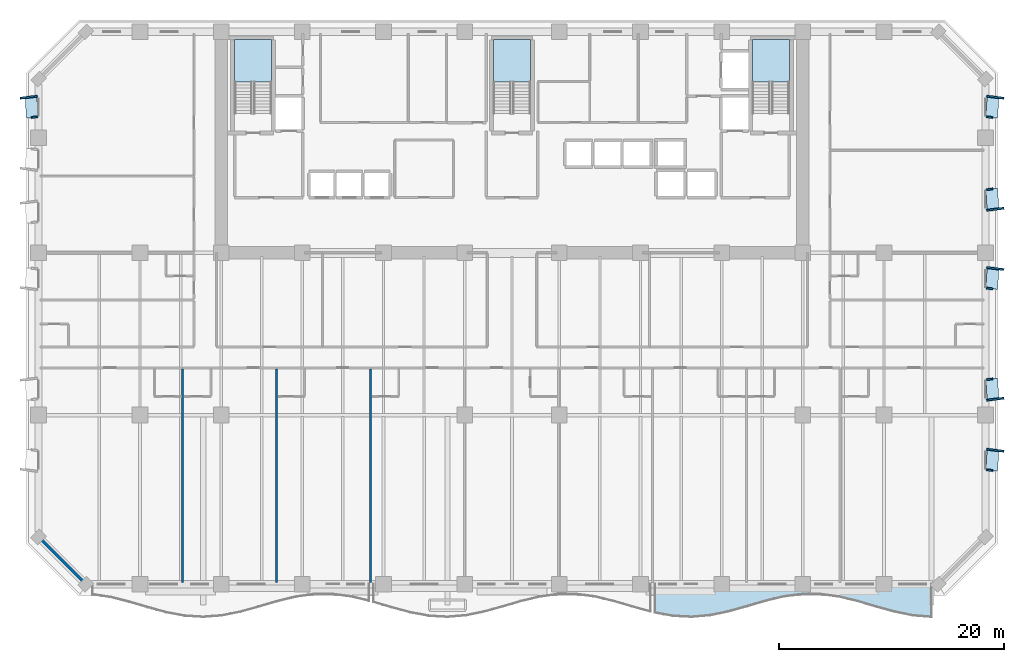
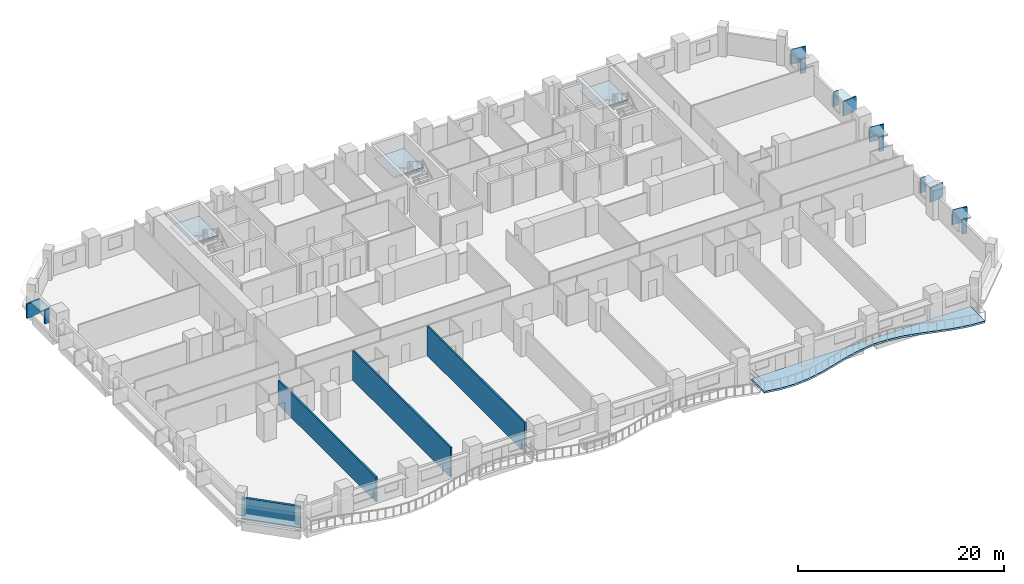
# One storey, part 3 of 15: 18 plates, 4 slabs, 4 walls, 3 elements without a shape of their own.
"""IFC4 building model written with IfcOpenShell, lengths in metres."""

import ifcopenshell
import ifcopenshell.guid

model = None  # the IFC model being written
_history = None  # IfcOwnerHistory: only IFC2X3 demands one
_inside = {}  # id of a spatial element -> (the spatial element, [elements in it])
_under = {}  # id of a project, library or spatial element -> (it, [spatial elements below it])
_declared = {}  # id of a project -> (the project, [libraries it declares])
_typed = {}  # id of a type object -> (the type object, [elements of that type])
_made_of = {}  # id of a material, layer set ... -> (it, [elements and type objects made of it])


def new_model(schema):
    """Start an empty IFC model of exactly this schema.

    Asked for "IFC4X3", IfcOpenShell would pick the latest addendum, in which some entities
    have other attributes; the version numbers below select the first issue.
    IFC2X3 requires an IfcOwnerHistory on every rooted entity: one is made here for all.
    """
    global model, _history
    if schema == "IFC4X3":
        model = ifcopenshell.file(schema_version=(4, 3, 0, 0))
    else:
        model = ifcopenshell.file(schema=schema)
    _inside.clear()
    _under.clear()
    _declared.clear()
    _typed.clear()
    _made_of.clear()
    _history = None
    if model.schema == "IFC2X3":
        org = make("IfcOrganization", Name="unknown")
        user = make(
            "IfcPersonAndOrganization",
            ThePerson=make("IfcPerson", FamilyName="unknown"),
            TheOrganization=org,
        )
        app = make(
            "IfcApplication",
            ApplicationDeveloper=org,
            Version="unknown",
            ApplicationFullName="unknown",
            ApplicationIdentifier="unknown",
        )
        _history = make(
            "IfcOwnerHistory",
            OwningUser=user,
            OwningApplication=app,
            ChangeAction="ADDED",
            CreationDate=0,
        )
    return model


def make(cls, **values):
    """One entity of the class cls with the attributes given. An attribute that is None is left unset."""
    return model.create_entity(
        cls, **{name: value for name, value in values.items() if value is not None}
    )


def rooted(cls, **values):
    """An entity with a GlobalId (a new one), such as an element, a storey or a relation."""
    return make(cls, GlobalId=ifcopenshell.guid.new(), OwnerHistory=_history, **values)


def si_unit(unit_type, name, prefix=None):
    """IfcSIUnit, for example si_unit("LENGTHUNIT", "METRE", prefix="MILLI")."""
    return make("IfcSIUnit", UnitType=unit_type, Prefix=prefix, Name=name)


def assignment(units):
    """IfcUnitAssignment: the units of a project."""
    return None if units is None else make("IfcUnitAssignment", Units=units)


def point(xyz):
    """IfcCartesianPoint."""
    return None if xyz is None else make("IfcCartesianPoint", Coordinates=xyz)


def direction(xyz):
    """IfcDirection."""
    return None if xyz is None else make("IfcDirection", DirectionRatios=xyz)


def frame(location, z_axis=None, x_axis=None):
    """IfcAxis2Placement3D, a coordinate frame: its origin and axes. An axis left out is left unset."""
    return make(
        "IfcAxis2Placement3D",
        Location=point(location),
        Axis=direction(z_axis),
        RefDirection=direction(x_axis),
    )


def frame_2d(location, x_axis=None):
    """IfcAxis2Placement2D, a coordinate frame in the plane: its origin and x axis."""
    return make(
        "IfcAxis2Placement2D", Location=point(location), RefDirection=direction(x_axis)
    )


def origin():
    """The frame at (0, 0, 0) with its axes left unset."""
    return frame((0.0, 0.0, 0.0))


def origin_2d():
    """The frame at (0, 0) in the plane with its x axis left unset."""
    return frame_2d((0.0, 0.0))


def place(relative_to, where):
    """IfcLocalPlacement: puts the frame where relative to a parent placement (None: the world)."""
    return make(
        "IfcLocalPlacement", PlacementRelTo=relative_to, RelativePlacement=where
    )


def context(
    kind, dimensions, precision=None, world=None, true_north=None, identifier=None
):
    """IfcGeometricRepresentationContext, for example the 3D "Model" context."""
    return make(
        "IfcGeometricRepresentationContext",
        ContextIdentifier=identifier,
        ContextType=kind,
        CoordinateSpaceDimension=dimensions,
        Precision=precision,
        WorldCoordinateSystem=world,
        TrueNorth=true_north,
    )


def subcontext(parent, identifier, kind, view, scale=None):
    """IfcGeometricRepresentationSubContext, for example "Body" below "Model"."""
    return make(
        "IfcGeometricRepresentationSubContext",
        ContextIdentifier=identifier,
        ContextType=kind,
        ParentContext=parent,
        TargetScale=scale,
        TargetView=view,
    )


def project(units=None, contexts=None):
    """IfcProject with its units and contexts."""
    return rooted(
        "IfcProject",
        Name="project",
        RepresentationContexts=contexts,
        UnitsInContext=assignment(units),
    )


def spatial(cls, under=None, at=None, **own):
    """A site, building, storey or space (cls), placed at a placement, below another one or the project."""
    s = rooted(cls, ObjectPlacement=at, **own)
    if under is not None:
        _under.setdefault(under.id(), (under, []))[1].append(s)
    return s


def polyline(points):
    """IfcPolyline through the points."""
    return make("IfcPolyline", Points=[point(p) for p in points])


def profile(cls, at=None, kind="AREA", **sizes):
    """A parametric profile (cls). Its sizes go by their IFC names, for example OverallWidth=200.0."""
    return make(cls, ProfileType=kind, Position=at, **sizes)


def rectangle(**sizes):
    """IfcRectangleProfileDef."""
    return profile("IfcRectangleProfileDef", **sizes)


def outline(outer, holes=None, kind="AREA"):
    """IfcArbitraryClosedProfileDef: a profile drawn as a closed curve; with holes, ...WithVoids."""
    if holes is None:
        return make("IfcArbitraryClosedProfileDef", ProfileType=kind, OuterCurve=outer)
    return make(
        "IfcArbitraryProfileDefWithVoids",
        ProfileType=kind,
        OuterCurve=outer,
        InnerCurves=holes,
    )


def extrude(swept, where, along, depth):
    """IfcExtrudedAreaSolid: the profile swept, set in the frame where, extruded along a direction by depth."""
    return make(
        "IfcExtrudedAreaSolid",
        SweptArea=swept,
        Position=where,
        ExtrudedDirection=direction(along),
        Depth=depth,
    )


def shape(context_of_items, identifier, shape_type, items):
    """IfcShapeRepresentation: the items that make up one representation, for example the "Body"."""
    return make(
        "IfcShapeRepresentation",
        ContextOfItems=context_of_items,
        RepresentationIdentifier=identifier,
        RepresentationType=shape_type,
        Items=items,
    )


def material(Name=None, Category=None):
    """IfcMaterial."""
    return make("IfcMaterial", Name=Name, Category=Category)


def layer(
    of_material, thickness, ventilated=None, Name=None, Category=None, Priority=None
):
    """IfcMaterialLayer: one layer of a wall or slab, of a material (None: an air gap)."""
    return make(
        "IfcMaterialLayer",
        Material=of_material,
        LayerThickness=thickness,
        IsVentilated=ventilated,
        Name=Name,
        Category=Category,
        Priority=Priority,
    )


def layer_set(layers, Name=None):
    """IfcMaterialLayerSet."""
    return make("IfcMaterialLayerSet", MaterialLayers=layers, LayerSetName=Name)


def made_of(thing, what):
    """Note that an element or type object is made of a material, layer set ...; save() writes the relation."""
    if what is not None:
        _made_of.setdefault(what.id(), (what, []))[1].append(thing)
    return thing


def type_object(cls, material=None, **own):
    """A type object (cls), such as IfcWallType, which elements share."""
    return made_of(rooted(cls, **own), material)


def element(
    cls,
    number,
    at=None,
    inside=None,
    cuts=None,
    type_object=None,
    material=None,
    context=None,
    identifier="Body",
    shape_type=None,
    held_by="IfcProductDefinitionShape",
    body=None,
    shapes=None,
    **own,
):
    """One element of the class cls, such as IfcWall. Its Tag is "e" and its number.

    at: its placement. inside: the storey or other place that contains it. cuts: it is an
    opening in that element (IfcRelVoidsElement). A single representation is given by context,
    identifier, shape_type and body (its items); several are given by shapes. held_by: the class
    of the entity that holds the representations. save() writes the other relations.
    """
    e = rooted(cls, Tag="e%d" % number, ObjectPlacement=at, **own)
    if body is not None:
        shapes = [shape(context, identifier, shape_type, body)]
    if shapes is not None:
        e.Representation = make(held_by, Representations=shapes)
    if inside is not None:
        _inside.setdefault(inside.id(), (inside, []))[1].append(e)
    if cuts is not None:
        rooted(
            "IfcRelVoidsElement", RelatingBuildingElement=cuts, RelatedOpeningElement=e
        )
    if type_object is not None:
        _typed.setdefault(type_object.id(), (type_object, []))[1].append(e)
    return made_of(e, material)


def aggregate(whole, parts):
    """IfcRelAggregates: a whole, such as a stair, and the parts it consists of."""
    return rooted("IfcRelAggregates", RelatingObject=whole, RelatedObjects=parts)


def save(model, path):
    """Write the relations noted so far, then the file.

    IfcRelAggregates (storeys below a building ...), IfcRelContainedInSpatialStructure (elements
    in a storey), IfcRelDefinesByType, IfcRelAssociatesMaterial and IfcRelDeclares: one each for
    every whole, place, type object, material and project.
    """
    for whole, parts in _under.values():
        aggregate(whole, parts)
    for where, things in _inside.values():
        rooted(
            "IfcRelContainedInSpatialStructure",
            RelatedElements=things,
            RelatingStructure=where,
        )
    for kind, things in _typed.values():
        rooted("IfcRelDefinesByType", RelatedObjects=things, RelatingType=kind)
    for what, things in _made_of.values():
        rooted("IfcRelAssociatesMaterial", RelatedObjects=things, RelatingMaterial=what)
    for by, libraries in _declared.values():
        rooted("IfcRelDeclares", RelatingContext=by, RelatedDefinitions=libraries)
    model.write(path)


model = new_model("IFC4")

# Units and contexts
model_context = context("Model", 3, precision=1e-05, world=origin(), true_north=direction((0.0, 1.0)))
body_context = subcontext(model_context, "Body", "Model", "MODEL_VIEW")
ifc_project = project(units=[si_unit("LENGTHUNIT", "METRE"), si_unit("AREAUNIT", "SQUARE_METRE"), si_unit("VOLUMEUNIT", "CUBIC_METRE"), si_unit("PLANEANGLEUNIT", "RADIAN"), si_unit("MASSUNIT", "GRAM", prefix="KILO")], contexts=[model_context])

# Site, building, storey
site_placement = place(None, origin())
site = spatial("IfcSite", under=ifc_project, at=site_placement, CompositionType="ELEMENT")
building_placement = place(site_placement, origin())
building = spatial("IfcBuilding", under=site, at=building_placement, Name="Kaelvorn Grand Hotel", CompositionType="ELEMENT")
storey_placement = place(building_placement, frame((0.0, 0.0, 72.64990234375)))
storey = spatial("IfcBuildingStorey", under=building, at=storey_placement, Name="L16", CompositionType="ELEMENT", Elevation=72.64990234375)

# Plates
ifc_material_1 = material(Name="Precast concrete C45/55", Category="concrete")
ifc_layer_1 = layer(ifc_material_1, 0.159912109375)
ifc_layer_set_1 = layer_set([ifc_layer_1], Name="Precast concrete C45/55")
plate_type_1 = type_object("IfcPlateType", Name="PL-FRAME-DEEP-1550", PredefinedType="USERDEFINED", material=ifc_layer_set_1)
for number, where, z_axis, x_axis, name in (
    (1, (84.864990234375, 11.889892578125, 0.68994140625), (0.0, 0.0, 1.0), (0.121869343405, 0.992546151641, 0.0), "L16 Tilted Precast Window Frame Fin R-E01"),
    (2, (84.864990234375, 16.409912109375, 0.68994140625), (0.0, 0.0, 1.0), (-0.121869343405, 0.992546151641, 0.0), "L16 Tilted Precast Window Frame Fin L-E02"),
    (3, (84.864990234375, 28.0048828125, 0.68994140625), (0.0, 0.0, 1.0), (0.121869343405, 0.992546151641, 0.0), "L16 Tilted Precast Window Frame Fin R-E03"),
    (4, (84.864990234375, 33.260009765625, 0.68994140625), (0.0, 0.0, 1.0), (-0.121869343405, 0.992546151641, 0.0), "L16 Tilted Precast Window Frame Fin L-E04"),
    (5, (84.864990234375, 43.205078125, 0.68994140625), (0.0, 0.0, 1.0), (0.121869343405, 0.992546151641, 0.0), "L16 Tilted Precast Window Frame Fin R-E05"),
    (6, (-0.864990234375, 43.205078125, 0.68994140625), (0.0, 0.0, 1.0), (-0.121869343405, 0.992546151641, 0.0), "L16 Tilted Precast Window Frame Fin R-W06"),
):
    element("IfcPlate", number, at=place(storey_placement, frame(where, z_axis=z_axis, x_axis=x_axis)), inside=storey, type_object=plate_type_1, Name=name, ObjectType="FLANGE_PLATE", PredefinedType="USERDEFINED", context=body_context, shape_type="SweptSolid", body=[
        extrude(rectangle(XDim=0.159912109375, YDim=1.550048828125, at=origin_2d()), origin(), (0.0, 0.0, 1.0), 1.719970703125),
    ])
ifc_layer_2 = layer(ifc_material_1, 0.159912109375)
ifc_layer_set_2 = layer_set([ifc_layer_2], Name="Precast concrete C45/55")
plate_type_2 = type_object("IfcPlateType", Name="PL-FRAME-HEAD-1050", PredefinedType="USERDEFINED", material=ifc_layer_set_2)
for number, where, z_axis, x_axis, name in (
    (7, (84.614990234375, 11.0, 2.25), (0.0, 0.0, 1.0), (0.054950179912, 0.998489097451, 0.0), "L16 Precast Window Frame Head Hood H-E01"),
    (8, (84.614990234375, 17.300048828125, 2.25), (0.0, 0.0, 1.0), (-0.054950179912, 0.998489097451, 0.0), "L16 Precast Window Frame Head Hood H-E02"),
    (9, (84.614990234375, 27.114990234375, 2.25), (0.0, 0.0, 1.0), (0.054950179912, 0.998489097451, 0.0), "L16 Precast Window Frame Head Hood H-E03"),
    (10, (84.614990234375, 34.14990234375, 2.25), (0.0, 0.0, 1.0), (-0.054950179912, 0.998489097451, 0.0), "L16 Precast Window Frame Head Hood H-E04"),
    (11, (84.614990234375, 42.31494140625, 2.25), (0.0, 0.0, 1.0), (0.054950179912, 0.998489097451, 0.0), "L16 Precast Window Frame Head Hood H-E05"),
    (12, (-0.614990234375, 42.31494140625, 2.25), (0.0, 0.0, 1.0), (-0.054950179912, 0.998489097451, 0.0), "L16 Precast Window Frame Head Hood H-W06"),
):
    element("IfcPlate", number, at=place(storey_placement, frame(where, z_axis=z_axis, x_axis=x_axis)), inside=storey, type_object=plate_type_2, Name=name, ObjectType="FLANGE_PLATE", PredefinedType="USERDEFINED", context=body_context, shape_type="SweptSolid", body=[
        extrude(rectangle(XDim=1.860107421875, YDim=1.050048828125, at=origin_2d()), origin(), (0.0, 0.0, 1.0), 0.159912109375),
    ])
ifc_layer_3 = layer(ifc_material_1, 0.159912109375)
ifc_layer_set_3 = layer_set([ifc_layer_3], Name="Precast concrete C45/55")
plate_type_3 = type_object("IfcPlateType", Name="PL-FRAME-SHAL-550", PredefinedType="USERDEFINED", material=ifc_layer_set_3)
for number, where, z_axis, x_axis, name in (
    (13, (84.364990234375, 10.110107421875, 0.68994140625), (0.0, 0.0, 1.0), (0.121869343405, 0.992546151641, 0.0), "L16 Tilted Precast Window Frame Fin L-E01"),
    (14, (84.364990234375, 18.18994140625, 0.68994140625), (0.0, 0.0, 1.0), (-0.121869343405, 0.992546151641, 0.0), "L16 Tilted Precast Window Frame Fin R-E02"),
    (15, (84.364990234375, 26.22509765625, 0.68994140625), (0.0, 0.0, 1.0), (0.121869343405, 0.992546151641, 0.0), "L16 Tilted Precast Window Frame Fin L-E03"),
    (16, (84.364990234375, 35.0400390625, 0.68994140625), (0.0, 0.0, 1.0), (-0.121869343405, 0.992546151641, 0.0), "L16 Tilted Precast Window Frame Fin R-E04"),
    (17, (84.364990234375, 41.425048828125, 0.68994140625), (0.0, 0.0, 1.0), (0.121869343405, 0.992546151641, 0.0), "L16 Tilted Precast Window Frame Fin L-E05"),
    (18, (-0.364990234375, 41.425048828125, 0.68994140625), (0.0, 0.0, 1.0), (-0.121869343405, 0.992546151641, 0.0), "L16 Tilted Precast Window Frame Fin L-W06"),
):
    element("IfcPlate", number, at=place(storey_placement, frame(where, z_axis=z_axis, x_axis=x_axis)), inside=storey, type_object=plate_type_3, Name=name, ObjectType="FLANGE_PLATE", PredefinedType="USERDEFINED", context=body_context, shape_type="SweptSolid", body=[
        extrude(rectangle(XDim=0.159912109375, YDim=0.550048828125, at=origin_2d()), origin(), (0.0, 0.0, 1.0), 1.719970703125),
    ])

# Slab
ifc_material_2 = material(Name="Concrete C40/50", Category="concrete")
ifc_layer_4 = layer(ifc_material_2, 0.219970703125)
ifc_layer_set_4 = layer_set([ifc_layer_4], Name="Concrete C40/50")
slab_type_1 = type_object("IfcSlabType", Name="SLB-BALC-220-C40", PredefinedType="FLOOR", material=ifc_layer_set_4)
slab_1_placement = place(storey_placement, frame((0.0, 0.0, -0.219970703125)))
element("IfcSlab", 19, at=slab_1_placement, inside=storey, type_object=slab_type_1, Name="L16 Scalloped Wave Balcony Slab 3", PredefinedType="FLOOR", context=body_context, shape_type="SweptSolid", body=[
    extrude(outline(polyline([(54.666748046875, -2.521484375), (56.30224609375, -2.81396484375), (57.937744140625, -2.89794921875), (59.5732421875, -2.754638671875), (61.208984375, -2.416015625), (62.844482421875, -1.95703125), (64.47998046875, -1.47998046875), (66.115478515625, -1.090576171875), (67.751220703125, -0.87548828125), (69.38671875, -0.88232421875), (71.022216796875, -1.109619140625), (72.65771484375, -1.507080078125), (74.293212890625, -1.986083984375), (75.928955078125, -2.4404296875), (77.564453125, -2.769287109375), (79.199951171875, -2.8994140625), (79.199951171875, 0.0), (54.666748046875, 0.0), (54.666748046875, -2.521484375)])), origin(), (0.0, 0.0, 1.0), 0.219970703125),
])

# Stair, slab
stair_type = type_object("IfcStairType", Name="STR-DOG-1560-R06", PredefinedType="HALF_TURN_STAIR", material=ifc_material_2)
stair_1_placement = place(storey_placement, origin())
stair_1 = element("IfcStair", 20, at=stair_1_placement, inside=storey, type_object=stair_type, Name="L16 West Core Exit Stair ST1", PredefinedType="HALF_TURN_STAIR")
ifc_layer_5 = layer(ifc_material_2, 0.199951171875)
ifc_layer_set_5 = layer_set([ifc_layer_5], Name="Concrete C40/50")
slab_type_2 = type_object("IfcSlabType", Name="SLB-LAND-200-C40", PredefinedType="LANDING", material=ifc_layer_set_5)
slab_2_placement = place(storey_placement, frame((0.0, 0.0, 1.675048828125)))
slab_2 = element("IfcSlab", 21, at=slab_2_placement, type_object=slab_type_2, Name="ST1 landing 1", PredefinedType="LANDING", context=body_context, shape_type="SweptSolid", body=[
    extrude(outline(polyline([(20.679931640625, 44.56005859375), (20.679931640625, 48.300048828125), (17.39990234375, 48.300048828125), (17.39990234375, 44.56005859375), (20.679931640625, 44.56005859375)])), origin(), (0.0, 0.0, 1.0), 0.199951171875),
])
aggregate(stair_1, [slab_2])

stair_2_placement = place(storey_placement, origin())
stair_2 = element("IfcStair", 22, at=stair_2_placement, inside=storey, type_object=stair_type, Name="L16 Central Core Exit Stair ST2", PredefinedType="HALF_TURN_STAIR")
slab_3_placement = place(storey_placement, frame((0.0, 0.0, 1.675048828125)))
slab_3 = element("IfcSlab", 23, at=slab_3_placement, type_object=slab_type_2, Name="ST2 landing 1", PredefinedType="LANDING", context=body_context, shape_type="SweptSolid", body=[
    extrude(outline(polyline([(43.639892578125, 44.56005859375), (43.639892578125, 48.300048828125), (40.360107421875, 48.300048828125), (40.360107421875, 44.56005859375), (43.639892578125, 44.56005859375)])), origin(), (0.0, 0.0, 1.0), 0.199951171875),
])
aggregate(stair_2, [slab_3])

stair_3_placement = place(storey_placement, origin())
stair_3 = element("IfcStair", 24, at=stair_3_placement, inside=storey, type_object=stair_type, Name="L16 East Core Exit Stair ST3", PredefinedType="HALF_TURN_STAIR")
slab_4_placement = place(storey_placement, frame((0.0, 0.0, 1.675048828125)))
slab_4 = element("IfcSlab", 25, at=slab_4_placement, type_object=slab_type_2, Name="ST3 landing 1", PredefinedType="LANDING", context=body_context, shape_type="SweptSolid", body=[
    extrude(outline(polyline([(66.60009765625, 44.56005859375), (66.60009765625, 48.300048828125), (63.320068359375, 48.300048828125), (63.320068359375, 44.56005859375), (66.60009765625, 44.56005859375)])), origin(), (0.0, 0.0, 1.0), 0.199951171875),
])
aggregate(stair_3, [slab_4])

# Walls
ifc_layer_6 = layer(ifc_material_2, 0.260009765625)
ifc_layer_set_6 = layer_set([ifc_layer_6], Name="Concrete C40/50")
wall_type_1 = type_object("IfcWallType", Name="WL-EXT-260-C40", PredefinedType="SOLIDWALL", material=ifc_layer_set_6)
wall_1_placement = place(storey_placement, frame((0.0, 4.199951171875, 0.0), z_axis=(0.0, 0.0, 1.0), x_axis=(0.707106781187, -0.707106781187, 0.0)))
element("IfcWall", 26, at=wall_1_placement, inside=storey, type_object=wall_type_1, Name="L16 Exterior Architectural Concrete Wall 08", PredefinedType="SOLIDWALL", context=body_context, shape_type="SweptSolid", body=[
    extrude(rectangle(XDim=5.939697265625, YDim=0.260009765625, at=frame_2d((2.9697265625, 0.0))), origin(), (0.0, 0.0, 1.0), 2.56005859375),
])
ifc_material_3 = material(Name="Acoustic Gypsum & Stud Partition")
ifc_layer_7 = layer(ifc_material_3, 0.179931640625)
ifc_layer_set_7 = layer_set([ifc_layer_7], Name="Acoustic Gypsum & Stud Partition")
wall_type_2 = type_object("IfcWallType", Name="WL-PART-180-EI60", PredefinedType="PARTITIONING", material=ifc_layer_set_7)
wall_2_placement = place(storey_placement, frame((12.783203125, 0.14990234375, 0.0), z_axis=(0.0, 0.0, 1.0), x_axis=(0.0, 1.0, 0.0)))
element("IfcWall", 27, at=wall_2_placement, inside=storey, type_object=wall_type_2, Name="L16 Deluxe Panoramic Suite L16-01 E Partition", PredefinedType="PARTITIONING", context=body_context, shape_type="SweptSolid", body=[
    extrude(rectangle(XDim=18.955078125, YDim=0.179931640625, at=frame_2d((9.4775390625, 0.0))), origin(), (0.0, 0.0, 1.0), 2.89794921875),
])
for number, where, z_axis, x_axis, name in (
    (28, (21.11669921875, 0.14990234375, 0.0), (0.0, 0.0, 1.0), (0.0, 1.0, 0.0), "L16 Deluxe Panoramic Suite L16-02 E Partition"),
    (29, (29.449951171875, 0.14990234375, 0.0), (0.0, 0.0, 1.0), (0.0, 1.0, 0.0), "L16 Deluxe Panoramic Suite L16-03 E Partition"),
):
    element("IfcWall", number, at=place(storey_placement, frame(where, z_axis=z_axis, x_axis=x_axis)), inside=storey, type_object=wall_type_2, Name=name, PredefinedType="PARTITIONING", context=body_context, shape_type="SweptSolid", body=[
        extrude(rectangle(XDim=18.955078125, YDim=0.179931640625, at=frame_2d((9.4775390625, 0.0))), origin(), (0.0, 0.0, 1.0), 3.510009765625),
    ])

save(model, "model.ifc")
